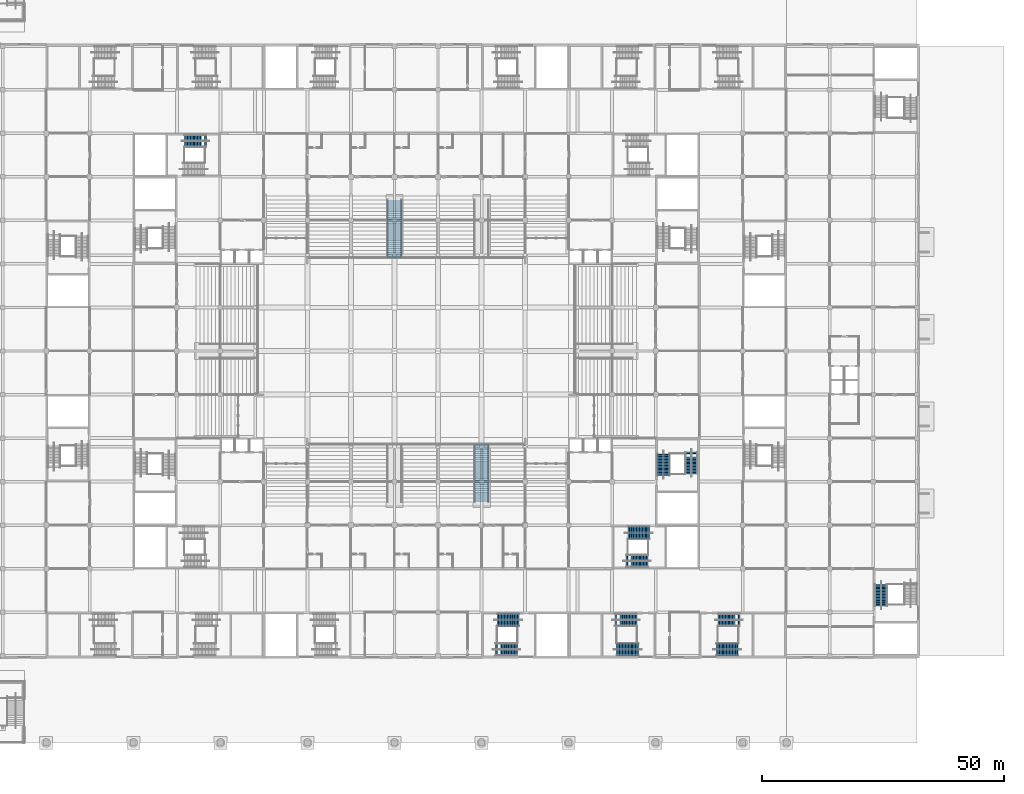
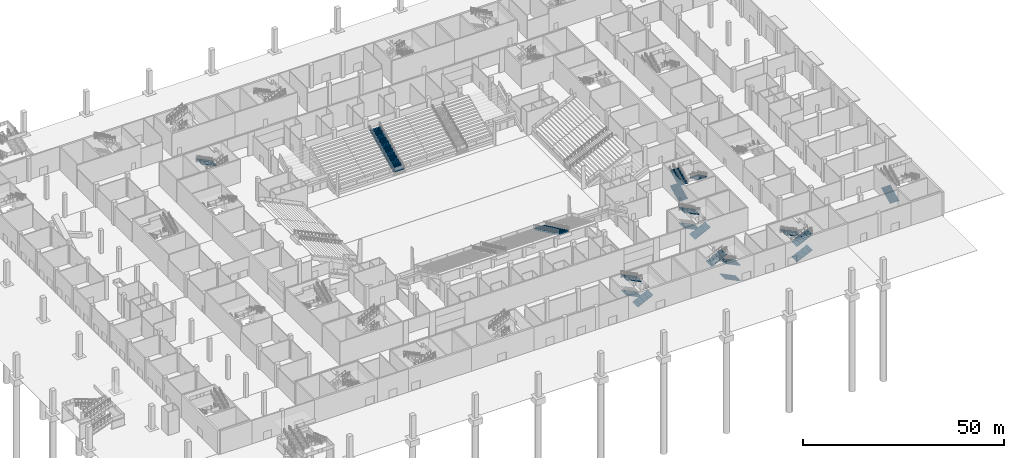
# One storey, part 44 of 92: 19 stair flights, 9 elements without a shape of their own.
"""IFC4 building model written with IfcOpenShell, lengths in metres."""

from ifc_helpers import new_model, si_unit, direction, frame, origin, place, context, subcontext, project, spatial, polyline, outline, extrude, material, type_object, element, aggregate, save


model = new_model("IFC4")

# Units and contexts
model_context = context("Model", 3, precision=1e-05, world=origin(), true_north=direction((0.0, 1.0)))
body_context = subcontext(model_context, "Body", "Model", "MODEL_VIEW")
ifc_project = project(units=[si_unit("LENGTHUNIT", "METRE"), si_unit("AREAUNIT", "SQUARE_METRE"), si_unit("VOLUMEUNIT", "CUBIC_METRE"), si_unit("PLANEANGLEUNIT", "RADIAN"), si_unit("MASSUNIT", "GRAM", prefix="KILO")], contexts=[model_context])

# Site, building, storey
site_placement = place(None, origin())
site = spatial("IfcSite", under=ifc_project, at=site_placement, CompositionType="ELEMENT")
building_placement = place(site_placement, origin())
building = spatial("IfcBuilding", under=site, at=building_placement, Name="Silverbay Arena", CompositionType="ELEMENT")
storey_placement = place(building_placement, origin())
storey = spatial("IfcBuildingStorey", under=building, at=storey_placement, Name="L00", CompositionType="ELEMENT", Elevation=0.0)

# Stair, stair flights
ifc_material_1 = material(Name="Concrete Grade C45", Category="concrete")
stair_type_1 = type_object("IfcStairType", Name="Stair 2600 wide 48 risers 145.8 x 300", PredefinedType="HALF_TURN_STAIR", material=ifc_material_1)
stair_1_placement = place(storey_placement, origin())
stair_1 = element("IfcStair", 1, at=stair_1_placement, inside=storey, type_object=stair_type_1, Name="Stair ST-S3 L00 to L01", PredefinedType="HALF_TURN_STAIR")
ifc_material_2 = material(Name="Concrete Grade C45", Category="concrete")
stair_flight_type_1 = type_object("IfcStairFlightType", Name="Stair flight 2600 wide 16 risers 145.8 x 300", PredefinedType="STRAIGHT", material=ifc_material_2)
stair_flight_1_placement = place(storey_placement, frame((151.7431640625, 25.39990234375, 0.0), z_axis=(0.0, 0.0, 1.0), x_axis=(-1.0, 0.0, 0.0)))
stair_flight_1 = element("IfcStairFlight", 2, at=stair_flight_1_placement, type_object=stair_flight_type_1, Name="Stair ST-S3 L00 to L01 flight 1", NumberOfRisers=16, NumberOfTreads=15, PredefinedType="STRAIGHT", RiserHeight=0.145833333, TreadLength=0.3, context=body_context, shape_type="SweptSolid", body=[
    extrude(outline(polyline([(0.0, 0.0), (0.0, 0.145751953125), (0.300048828125, 0.145751953125), (0.300048828125, 0.291748046875), (0.60009765625, 0.291748046875), (0.60009765625, 0.4375), (0.89990234375, 0.4375), (0.89990234375, 0.583251953125), (1.199951171875, 0.583251953125), (1.199951171875, 0.729248046875), (1.5, 0.729248046875), (1.5, 0.875), (1.800048828125, 0.875), (1.800048828125, 1.020751953125), (2.10009765625, 1.020751953125), (2.10009765625, 1.166748046875), (2.39990234375, 1.166748046875), (2.39990234375, 1.3125), (2.699951171875, 1.3125), (2.699951171875, 1.458251953125), (3.0, 1.458251953125), (3.0, 1.604248046875), (3.300048828125, 1.604248046875), (3.300048828125, 1.75), (3.60009765625, 1.75), (3.60009765625, 1.895751953125), (3.89990234375, 1.895751953125), (3.89990234375, 2.041748046875), (4.199951171875, 2.041748046875), (4.199951171875, 2.1875), (4.5, 2.1875), (4.5, 2.020751953125), (0.3427734375, 0.0), (0.0, 0.0)])), frame((0.0, 1.300048828125, 0.0), z_axis=(0.0, -1.0, 0.0), x_axis=(1.0, 0.0, 0.0)), (0.0, 0.0, 1.0), 2.60009765625),
])
stair_flight_2_placement = place(storey_placement, frame((146.89990234375, 19.300048828125, 2.333251953125), z_axis=(0.0, 0.0, 1.0), x_axis=(1.0, 0.0, 0.0)))
stair_flight_2 = element("IfcStairFlight", 3, at=stair_flight_2_placement, type_object=stair_flight_type_1, Name="Stair ST-S3 L00 to L01 flight 2", NumberOfRisers=16, NumberOfTreads=15, PredefinedType="STRAIGHT", RiserHeight=0.145833333, TreadLength=0.3, context=body_context, shape_type="SweptSolid", body=[
    extrude(outline(polyline([(0.0, 0.0), (0.0, 0.145751953125), (0.300048828125, 0.145751953125), (0.300048828125, 0.291748046875), (0.60009765625, 0.291748046875), (0.60009765625, 0.4375), (0.89990234375, 0.4375), (0.89990234375, 0.583251953125), (1.199951171875, 0.583251953125), (1.199951171875, 0.729248046875), (1.5, 0.729248046875), (1.5, 0.875), (1.800048828125, 0.875), (1.800048828125, 1.020751953125), (2.10009765625, 1.020751953125), (2.10009765625, 1.166748046875), (2.39990234375, 1.166748046875), (2.39990234375, 1.3125), (2.699951171875, 1.3125), (2.699951171875, 1.458251953125), (3.0, 1.458251953125), (3.0, 1.604248046875), (3.300048828125, 1.604248046875), (3.300048828125, 1.75), (3.60009765625, 1.75), (3.60009765625, 1.895751953125), (3.89990234375, 1.895751953125), (3.89990234375, 2.041748046875), (4.199951171875, 2.041748046875), (4.199951171875, 2.1875), (4.5, 2.1875), (4.5, 2.020751953125), (0.3427734375, 0.0), (0.0, 0.0)])), frame((0.0, 1.300048828125, 0.0), z_axis=(0.0, -1.0, 0.0), x_axis=(1.0, 0.0, 0.0)), (0.0, 0.0, 1.0), 2.60009765625),
])
stair_flight_3_placement = place(storey_placement, frame((151.7431640625, 25.39990234375, 4.666748046875), z_axis=(0.0, 0.0, 1.0), x_axis=(-1.0, 0.0, 0.0)))
stair_flight_3 = element("IfcStairFlight", 4, at=stair_flight_3_placement, type_object=stair_flight_type_1, Name="Stair ST-S3 L00 to L01 flight 3", NumberOfRisers=16, NumberOfTreads=15, PredefinedType="STRAIGHT", RiserHeight=0.145833333, TreadLength=0.3, context=body_context, shape_type="SweptSolid", body=[
    extrude(outline(polyline([(0.0, 0.0), (0.0, 0.145751953125), (0.300048828125, 0.145751953125), (0.300048828125, 0.291748046875), (0.60009765625, 0.291748046875), (0.60009765625, 0.4375), (0.89990234375, 0.4375), (0.89990234375, 0.583251953125), (1.199951171875, 0.583251953125), (1.199951171875, 0.729248046875), (1.5, 0.729248046875), (1.5, 0.875), (1.800048828125, 0.875), (1.800048828125, 1.020751953125), (2.10009765625, 1.020751953125), (2.10009765625, 1.166748046875), (2.39990234375, 1.166748046875), (2.39990234375, 1.3125), (2.699951171875, 1.3125), (2.699951171875, 1.458251953125), (3.0, 1.458251953125), (3.0, 1.604248046875), (3.300048828125, 1.604248046875), (3.300048828125, 1.75), (3.60009765625, 1.75), (3.60009765625, 1.895751953125), (3.89990234375, 1.895751953125), (3.89990234375, 2.041748046875), (4.199951171875, 2.041748046875), (4.199951171875, 2.1875), (4.5, 2.1875), (4.5, 2.020751953125), (0.3427734375, 0.0), (0.0, 0.0)])), frame((0.0, 1.300048828125, 0.0), z_axis=(0.0, -1.0, 0.0), x_axis=(1.0, 0.0, 0.0)), (0.0, 0.0, 1.0), 2.60009765625),
])
aggregate(stair_1, [stair_flight_1, stair_flight_2, stair_flight_3])

stair_2_placement = place(storey_placement, origin())
stair_2 = element("IfcStair", 5, at=stair_2_placement, inside=storey, type_object=stair_type_1, Name="Stair ST-S4 L00 to L01", PredefinedType="HALF_TURN_STAIR")
stair_flight_4_placement = place(storey_placement, frame((176.443115234375, 19.300048828125, 0.0), z_axis=(0.0, 0.0, 1.0), x_axis=(-1.0, 0.0, 0.0)))
stair_flight_4 = element("IfcStairFlight", 6, at=stair_flight_4_placement, type_object=stair_flight_type_1, Name="Stair ST-S4 L00 to L01 flight 1", NumberOfRisers=16, NumberOfTreads=15, PredefinedType="STRAIGHT", RiserHeight=0.145833333, TreadLength=0.3, context=body_context, shape_type="SweptSolid", body=[
    extrude(outline(polyline([(0.0, 0.0), (0.0, 0.145751953125), (0.300048828125, 0.145751953125), (0.300048828125, 0.291748046875), (0.60009765625, 0.291748046875), (0.60009765625, 0.4375), (0.89990234375, 0.4375), (0.89990234375, 0.583251953125), (1.199951171875, 0.583251953125), (1.199951171875, 0.729248046875), (1.5, 0.729248046875), (1.5, 0.875), (1.800048828125, 0.875), (1.800048828125, 1.020751953125), (2.10009765625, 1.020751953125), (2.10009765625, 1.166748046875), (2.39990234375, 1.166748046875), (2.39990234375, 1.3125), (2.699951171875, 1.3125), (2.699951171875, 1.458251953125), (3.0, 1.458251953125), (3.0, 1.604248046875), (3.300048828125, 1.604248046875), (3.300048828125, 1.75), (3.60009765625, 1.75), (3.60009765625, 1.895751953125), (3.89990234375, 1.895751953125), (3.89990234375, 2.041748046875), (4.199951171875, 2.041748046875), (4.199951171875, 2.1875), (4.5, 2.1875), (4.5, 2.020751953125), (0.3427734375, 0.0), (0.0, 0.0)])), frame((0.0, 1.300048828125, 0.0), z_axis=(0.0, -1.0, 0.0), x_axis=(1.0, 0.0, 0.0)), (0.0, 0.0, 1.0), 2.60009765625),
])
stair_flight_5_placement = place(storey_placement, frame((171.60009765625, 25.39990234375, 2.333251953125), z_axis=(0.0, 0.0, 1.0), x_axis=(1.0, 0.0, 0.0)))
stair_flight_5 = element("IfcStairFlight", 7, at=stair_flight_5_placement, type_object=stair_flight_type_1, Name="Stair ST-S4 L00 to L01 flight 2", NumberOfRisers=16, NumberOfTreads=15, PredefinedType="STRAIGHT", RiserHeight=0.145833333, TreadLength=0.3, context=body_context, shape_type="SweptSolid", body=[
    extrude(outline(polyline([(0.0, 0.0), (0.0, 0.145751953125), (0.300048828125, 0.145751953125), (0.300048828125, 0.291748046875), (0.60009765625, 0.291748046875), (0.60009765625, 0.4375), (0.89990234375, 0.4375), (0.89990234375, 0.583251953125), (1.199951171875, 0.583251953125), (1.199951171875, 0.729248046875), (1.5, 0.729248046875), (1.5, 0.875), (1.800048828125, 0.875), (1.800048828125, 1.020751953125), (2.10009765625, 1.020751953125), (2.10009765625, 1.166748046875), (2.39990234375, 1.166748046875), (2.39990234375, 1.3125), (2.699951171875, 1.3125), (2.699951171875, 1.458251953125), (3.0, 1.458251953125), (3.0, 1.604248046875), (3.300048828125, 1.604248046875), (3.300048828125, 1.75), (3.60009765625, 1.75), (3.60009765625, 1.895751953125), (3.89990234375, 1.895751953125), (3.89990234375, 2.041748046875), (4.199951171875, 2.041748046875), (4.199951171875, 2.1875), (4.5, 2.1875), (4.5, 2.020751953125), (0.3427734375, 0.0), (0.0, 0.0)])), frame((0.0, 1.300048828125, 0.0), z_axis=(0.0, -1.0, 0.0), x_axis=(1.0, 0.0, 0.0)), (0.0, 0.0, 1.0), 2.60009765625),
])
stair_flight_6_placement = place(storey_placement, frame((176.443115234375, 19.300048828125, 4.666748046875), z_axis=(0.0, 0.0, 1.0), x_axis=(-1.0, 0.0, 0.0)))
stair_flight_6 = element("IfcStairFlight", 8, at=stair_flight_6_placement, type_object=stair_flight_type_1, Name="Stair ST-S4 L00 to L01 flight 3", NumberOfRisers=16, NumberOfTreads=15, PredefinedType="STRAIGHT", RiserHeight=0.145833333, TreadLength=0.3, context=body_context, shape_type="SweptSolid", body=[
    extrude(outline(polyline([(0.0, 0.0), (0.0, 0.145751953125), (0.300048828125, 0.145751953125), (0.300048828125, 0.291748046875), (0.60009765625, 0.291748046875), (0.60009765625, 0.4375), (0.89990234375, 0.4375), (0.89990234375, 0.583251953125), (1.199951171875, 0.583251953125), (1.199951171875, 0.729248046875), (1.5, 0.729248046875), (1.5, 0.875), (1.800048828125, 0.875), (1.800048828125, 1.020751953125), (2.10009765625, 1.020751953125), (2.10009765625, 1.166748046875), (2.39990234375, 1.166748046875), (2.39990234375, 1.3125), (2.699951171875, 1.3125), (2.699951171875, 1.458251953125), (3.0, 1.458251953125), (3.0, 1.604248046875), (3.300048828125, 1.604248046875), (3.300048828125, 1.75), (3.60009765625, 1.75), (3.60009765625, 1.895751953125), (3.89990234375, 1.895751953125), (3.89990234375, 2.041748046875), (4.199951171875, 2.041748046875), (4.199951171875, 2.1875), (4.5, 2.1875), (4.5, 2.020751953125), (0.3427734375, 0.0), (0.0, 0.0)])), frame((0.0, 1.300048828125, 0.0), z_axis=(0.0, -1.0, 0.0), x_axis=(1.0, 0.0, 0.0)), (0.0, 0.0, 1.0), 2.60009765625),
])
aggregate(stair_2, [stair_flight_4, stair_flight_5, stair_flight_6])

stair_3_placement = place(storey_placement, origin())
stair_3 = element("IfcStair", 9, at=stair_3_placement, inside=storey, type_object=stair_type_1, Name="Stair ST-S6 L00 to L01", PredefinedType="HALF_TURN_STAIR")
stair_flight_7_placement = place(storey_placement, frame((192.556884765625, 19.300048828125, 0.0), z_axis=(0.0, 0.0, 1.0), x_axis=(1.0, 0.0, 0.0)))
stair_flight_7 = element("IfcStairFlight", 10, at=stair_flight_7_placement, type_object=stair_flight_type_1, Name="Stair ST-S6 L00 to L01 flight 1", NumberOfRisers=16, NumberOfTreads=15, PredefinedType="STRAIGHT", RiserHeight=0.145833333, TreadLength=0.3, context=body_context, shape_type="SweptSolid", body=[
    extrude(outline(polyline([(0.0, 0.0), (0.0, 0.145751953125), (0.300048828125, 0.145751953125), (0.300048828125, 0.291748046875), (0.60009765625, 0.291748046875), (0.60009765625, 0.4375), (0.89990234375, 0.4375), (0.89990234375, 0.583251953125), (1.199951171875, 0.583251953125), (1.199951171875, 0.729248046875), (1.5, 0.729248046875), (1.5, 0.875), (1.800048828125, 0.875), (1.800048828125, 1.020751953125), (2.10009765625, 1.020751953125), (2.10009765625, 1.166748046875), (2.39990234375, 1.166748046875), (2.39990234375, 1.3125), (2.699951171875, 1.3125), (2.699951171875, 1.458251953125), (3.0, 1.458251953125), (3.0, 1.604248046875), (3.300048828125, 1.604248046875), (3.300048828125, 1.75), (3.60009765625, 1.75), (3.60009765625, 1.895751953125), (3.89990234375, 1.895751953125), (3.89990234375, 2.041748046875), (4.199951171875, 2.041748046875), (4.199951171875, 2.1875), (4.5, 2.1875), (4.5, 2.020751953125), (0.3427734375, 0.0), (0.0, 0.0)])), frame((0.0, 1.300048828125, 0.0), z_axis=(0.0, -1.0, 0.0), x_axis=(1.0, 0.0, 0.0)), (0.0, 0.0, 1.0), 2.60009765625),
])
stair_flight_8_placement = place(storey_placement, frame((197.39990234375, 25.39990234375, 2.333251953125), z_axis=(0.0, 0.0, 1.0), x_axis=(-1.0, 0.0, 0.0)))
stair_flight_8 = element("IfcStairFlight", 11, at=stair_flight_8_placement, type_object=stair_flight_type_1, Name="Stair ST-S6 L00 to L01 flight 2", NumberOfRisers=16, NumberOfTreads=15, PredefinedType="STRAIGHT", RiserHeight=0.145833333, TreadLength=0.3, context=body_context, shape_type="SweptSolid", body=[
    extrude(outline(polyline([(0.0, 0.0), (0.0, 0.145751953125), (0.300048828125, 0.145751953125), (0.300048828125, 0.291748046875), (0.60009765625, 0.291748046875), (0.60009765625, 0.4375), (0.89990234375, 0.4375), (0.89990234375, 0.583251953125), (1.199951171875, 0.583251953125), (1.199951171875, 0.729248046875), (1.5, 0.729248046875), (1.5, 0.875), (1.800048828125, 0.875), (1.800048828125, 1.020751953125), (2.10009765625, 1.020751953125), (2.10009765625, 1.166748046875), (2.39990234375, 1.166748046875), (2.39990234375, 1.3125), (2.699951171875, 1.3125), (2.699951171875, 1.458251953125), (3.0, 1.458251953125), (3.0, 1.604248046875), (3.300048828125, 1.604248046875), (3.300048828125, 1.75), (3.60009765625, 1.75), (3.60009765625, 1.895751953125), (3.89990234375, 1.895751953125), (3.89990234375, 2.041748046875), (4.199951171875, 2.041748046875), (4.199951171875, 2.1875), (4.5, 2.1875), (4.5, 2.020751953125), (0.3427734375, 0.0), (0.0, 0.0)])), frame((0.0, 1.300048828125, 0.0), z_axis=(0.0, -1.0, 0.0), x_axis=(1.0, 0.0, 0.0)), (0.0, 0.0, 1.0), 2.60009765625),
])
stair_flight_9_placement = place(storey_placement, frame((192.556884765625, 19.300048828125, 4.666748046875), z_axis=(0.0, 0.0, 1.0), x_axis=(1.0, 0.0, 0.0)))
stair_flight_9 = element("IfcStairFlight", 12, at=stair_flight_9_placement, type_object=stair_flight_type_1, Name="Stair ST-S6 L00 to L01 flight 3", NumberOfRisers=16, NumberOfTreads=15, PredefinedType="STRAIGHT", RiserHeight=0.145833333, TreadLength=0.3, context=body_context, shape_type="SweptSolid", body=[
    extrude(outline(polyline([(0.0, 0.0), (0.0, 0.145751953125), (0.300048828125, 0.145751953125), (0.300048828125, 0.291748046875), (0.60009765625, 0.291748046875), (0.60009765625, 0.4375), (0.89990234375, 0.4375), (0.89990234375, 0.583251953125), (1.199951171875, 0.583251953125), (1.199951171875, 0.729248046875), (1.5, 0.729248046875), (1.5, 0.875), (1.800048828125, 0.875), (1.800048828125, 1.020751953125), (2.10009765625, 1.020751953125), (2.10009765625, 1.166748046875), (2.39990234375, 1.166748046875), (2.39990234375, 1.3125), (2.699951171875, 1.3125), (2.699951171875, 1.458251953125), (3.0, 1.458251953125), (3.0, 1.604248046875), (3.300048828125, 1.604248046875), (3.300048828125, 1.75), (3.60009765625, 1.75), (3.60009765625, 1.895751953125), (3.89990234375, 1.895751953125), (3.89990234375, 2.041748046875), (4.199951171875, 2.041748046875), (4.199951171875, 2.1875), (4.5, 2.1875), (4.5, 2.020751953125), (0.3427734375, 0.0), (0.0, 0.0)])), frame((0.0, 1.300048828125, 0.0), z_axis=(0.0, -1.0, 0.0), x_axis=(1.0, 0.0, 0.0)), (0.0, 0.0, 1.0), 2.60009765625),
])
aggregate(stair_3, [stair_flight_7, stair_flight_8, stair_flight_9])

stair_4_placement = place(storey_placement, origin())
stair_4 = element("IfcStair", 13, at=stair_4_placement, inside=storey, type_object=stair_type_1, Name="Stair ST-SE1 L00 to L01", PredefinedType="HALF_TURN_STAIR")
stair_flight_10_placement = place(storey_placement, frame((178.7431640625, 43.39990234375, 0.0), z_axis=(0.0, 0.0, 1.0), x_axis=(-1.0, 0.0, 0.0)))
stair_flight_10 = element("IfcStairFlight", 14, at=stair_flight_10_placement, type_object=stair_flight_type_1, Name="Stair ST-SE1 L00 to L01 flight 1", NumberOfRisers=16, NumberOfTreads=15, PredefinedType="STRAIGHT", RiserHeight=0.145833333, TreadLength=0.3, context=body_context, shape_type="SweptSolid", body=[
    extrude(outline(polyline([(0.0, 0.0), (0.0, 0.145751953125), (0.300048828125, 0.145751953125), (0.300048828125, 0.291748046875), (0.60009765625, 0.291748046875), (0.60009765625, 0.4375), (0.89990234375, 0.4375), (0.89990234375, 0.583251953125), (1.199951171875, 0.583251953125), (1.199951171875, 0.729248046875), (1.5, 0.729248046875), (1.5, 0.875), (1.800048828125, 0.875), (1.800048828125, 1.020751953125), (2.10009765625, 1.020751953125), (2.10009765625, 1.166748046875), (2.39990234375, 1.166748046875), (2.39990234375, 1.3125), (2.699951171875, 1.3125), (2.699951171875, 1.458251953125), (3.0, 1.458251953125), (3.0, 1.604248046875), (3.300048828125, 1.604248046875), (3.300048828125, 1.75), (3.60009765625, 1.75), (3.60009765625, 1.895751953125), (3.89990234375, 1.895751953125), (3.89990234375, 2.041748046875), (4.199951171875, 2.041748046875), (4.199951171875, 2.1875), (4.5, 2.1875), (4.5, 2.020751953125), (0.3427734375, 0.0), (0.0, 0.0)])), frame((0.0, 1.300048828125, 0.0), z_axis=(0.0, -1.0, 0.0), x_axis=(1.0, 0.0, 0.0)), (0.0, 0.0, 1.0), 2.60009765625),
])
stair_flight_11_placement = place(storey_placement, frame((173.89990234375, 37.60009765625, 2.333251953125), z_axis=(0.0, 0.0, 1.0), x_axis=(1.0, 0.0, 0.0)))
stair_flight_11 = element("IfcStairFlight", 15, at=stair_flight_11_placement, type_object=stair_flight_type_1, Name="Stair ST-SE1 L00 to L01 flight 2", NumberOfRisers=16, NumberOfTreads=15, PredefinedType="STRAIGHT", RiserHeight=0.145833333, TreadLength=0.3, context=body_context, shape_type="SweptSolid", body=[
    extrude(outline(polyline([(0.0, 0.0), (0.0, 0.145751953125), (0.300048828125, 0.145751953125), (0.300048828125, 0.291748046875), (0.60009765625, 0.291748046875), (0.60009765625, 0.4375), (0.89990234375, 0.4375), (0.89990234375, 0.583251953125), (1.199951171875, 0.583251953125), (1.199951171875, 0.729248046875), (1.5, 0.729248046875), (1.5, 0.875), (1.800048828125, 0.875), (1.800048828125, 1.020751953125), (2.10009765625, 1.020751953125), (2.10009765625, 1.166748046875), (2.39990234375, 1.166748046875), (2.39990234375, 1.3125), (2.699951171875, 1.3125), (2.699951171875, 1.458251953125), (3.0, 1.458251953125), (3.0, 1.604248046875), (3.300048828125, 1.604248046875), (3.300048828125, 1.75), (3.60009765625, 1.75), (3.60009765625, 1.895751953125), (3.89990234375, 1.895751953125), (3.89990234375, 2.041748046875), (4.199951171875, 2.041748046875), (4.199951171875, 2.1875), (4.5, 2.1875), (4.5, 2.020751953125), (0.3427734375, 0.0), (0.0, 0.0)])), frame((0.0, 1.300048828125, 0.0), z_axis=(0.0, -1.0, 0.0), x_axis=(1.0, 0.0, 0.0)), (0.0, 0.0, 1.0), 2.60009765625),
])
stair_flight_12_placement = place(storey_placement, frame((178.7431640625, 43.39990234375, 4.666748046875), z_axis=(0.0, 0.0, 1.0), x_axis=(-1.0, 0.0, 0.0)))
stair_flight_12 = element("IfcStairFlight", 16, at=stair_flight_12_placement, type_object=stair_flight_type_1, Name="Stair ST-SE1 L00 to L01 flight 3", NumberOfRisers=16, NumberOfTreads=15, PredefinedType="STRAIGHT", RiserHeight=0.145833333, TreadLength=0.3, context=body_context, shape_type="SweptSolid", body=[
    extrude(outline(polyline([(0.0, 0.0), (0.0, 0.145751953125), (0.300048828125, 0.145751953125), (0.300048828125, 0.291748046875), (0.60009765625, 0.291748046875), (0.60009765625, 0.4375), (0.89990234375, 0.4375), (0.89990234375, 0.583251953125), (1.199951171875, 0.583251953125), (1.199951171875, 0.729248046875), (1.5, 0.729248046875), (1.5, 0.875), (1.800048828125, 0.875), (1.800048828125, 1.020751953125), (2.10009765625, 1.020751953125), (2.10009765625, 1.166748046875), (2.39990234375, 1.166748046875), (2.39990234375, 1.3125), (2.699951171875, 1.3125), (2.699951171875, 1.458251953125), (3.0, 1.458251953125), (3.0, 1.604248046875), (3.300048828125, 1.604248046875), (3.300048828125, 1.75), (3.60009765625, 1.75), (3.60009765625, 1.895751953125), (3.89990234375, 1.895751953125), (3.89990234375, 2.041748046875), (4.199951171875, 2.041748046875), (4.199951171875, 2.1875), (4.5, 2.1875), (4.5, 2.020751953125), (0.3427734375, 0.0), (0.0, 0.0)])), frame((0.0, 1.300048828125, 0.0), z_axis=(0.0, -1.0, 0.0), x_axis=(1.0, 0.0, 0.0)), (0.0, 0.0, 1.0), 2.60009765625),
])
aggregate(stair_4, [stair_flight_10, stair_flight_11, stair_flight_12])

stair_5_placement = place(storey_placement, origin())
stair_5 = element("IfcStair", 17, at=stair_5_placement, inside=storey, type_object=stair_type_1, Name="Stair ST-SE2 L00 to L01", PredefinedType="HALF_TURN_STAIR")
stair_flight_13_placement = place(storey_placement, frame((181.60009765625, 55.2568359375, 0.0), z_axis=(0.0, 0.0, 1.0), x_axis=(0.0, 1.0, 0.0)))
stair_flight_13 = element("IfcStairFlight", 18, at=stair_flight_13_placement, type_object=stair_flight_type_1, Name="Stair ST-SE2 L00 to L01 flight 1", NumberOfRisers=16, NumberOfTreads=15, PredefinedType="STRAIGHT", RiserHeight=0.145833333, TreadLength=0.3, context=body_context, shape_type="SweptSolid", body=[
    extrude(outline(polyline([(0.0, 0.0), (0.0, 0.145751953125), (0.300048828125, 0.145751953125), (0.300048828125, 0.291748046875), (0.60009765625, 0.291748046875), (0.60009765625, 0.4375), (0.89990234375, 0.4375), (0.89990234375, 0.583251953125), (1.199951171875, 0.583251953125), (1.199951171875, 0.729248046875), (1.5, 0.729248046875), (1.5, 0.875), (1.800048828125, 0.875), (1.800048828125, 1.020751953125), (2.10009765625, 1.020751953125), (2.10009765625, 1.166748046875), (2.39990234375, 1.166748046875), (2.39990234375, 1.3125), (2.699951171875, 1.3125), (2.699951171875, 1.458251953125), (3.0, 1.458251953125), (3.0, 1.604248046875), (3.300048828125, 1.604248046875), (3.300048828125, 1.75), (3.60009765625, 1.75), (3.60009765625, 1.895751953125), (3.89990234375, 1.895751953125), (3.89990234375, 2.041748046875), (4.199951171875, 2.041748046875), (4.199951171875, 2.1875), (4.5, 2.1875), (4.5, 2.020751953125), (0.3427734375, 0.0), (0.0, 0.0)])), frame((0.0, 1.300048828125, 0.0), z_axis=(0.0, -1.0, 0.0), x_axis=(1.0, 0.0, 0.0)), (0.0, 0.0, 1.0), 2.60009765625),
])
stair_flight_14_placement = place(storey_placement, frame((187.39990234375, 60.10009765625, 2.333251953125), z_axis=(0.0, 0.0, 1.0), x_axis=(0.0, -1.0, 0.0)))
stair_flight_14 = element("IfcStairFlight", 19, at=stair_flight_14_placement, type_object=stair_flight_type_1, Name="Stair ST-SE2 L00 to L01 flight 2", NumberOfRisers=16, NumberOfTreads=15, PredefinedType="STRAIGHT", RiserHeight=0.145833333, TreadLength=0.3, context=body_context, shape_type="SweptSolid", body=[
    extrude(outline(polyline([(0.0, 0.0), (0.0, 0.145751953125), (0.300048828125, 0.145751953125), (0.300048828125, 0.291748046875), (0.60009765625, 0.291748046875), (0.60009765625, 0.4375), (0.89990234375, 0.4375), (0.89990234375, 0.583251953125), (1.199951171875, 0.583251953125), (1.199951171875, 0.729248046875), (1.5, 0.729248046875), (1.5, 0.875), (1.800048828125, 0.875), (1.800048828125, 1.020751953125), (2.10009765625, 1.020751953125), (2.10009765625, 1.166748046875), (2.39990234375, 1.166748046875), (2.39990234375, 1.3125), (2.699951171875, 1.3125), (2.699951171875, 1.458251953125), (3.0, 1.458251953125), (3.0, 1.604248046875), (3.300048828125, 1.604248046875), (3.300048828125, 1.75), (3.60009765625, 1.75), (3.60009765625, 1.895751953125), (3.89990234375, 1.895751953125), (3.89990234375, 2.041748046875), (4.199951171875, 2.041748046875), (4.199951171875, 2.1875), (4.5, 2.1875), (4.5, 2.020751953125), (0.3427734375, 0.0), (0.0, 0.0)])), frame((0.0, 1.300048828125, 0.0), z_axis=(0.0, -1.0, 0.0), x_axis=(1.0, 0.0, 0.0)), (0.0, 0.0, 1.0), 2.60009765625),
])
stair_flight_15_placement = place(storey_placement, frame((181.60009765625, 55.2568359375, 4.666748046875), z_axis=(0.0, 0.0, 1.0), x_axis=(0.0, 1.0, 0.0)))
stair_flight_15 = element("IfcStairFlight", 20, at=stair_flight_15_placement, type_object=stair_flight_type_1, Name="Stair ST-SE2 L00 to L01 flight 3", NumberOfRisers=16, NumberOfTreads=15, PredefinedType="STRAIGHT", RiserHeight=0.145833333, TreadLength=0.3, context=body_context, shape_type="SweptSolid", body=[
    extrude(outline(polyline([(0.0, 0.0), (0.0, 0.145751953125), (0.300048828125, 0.145751953125), (0.300048828125, 0.291748046875), (0.60009765625, 0.291748046875), (0.60009765625, 0.4375), (0.89990234375, 0.4375), (0.89990234375, 0.583251953125), (1.199951171875, 0.583251953125), (1.199951171875, 0.729248046875), (1.5, 0.729248046875), (1.5, 0.875), (1.800048828125, 0.875), (1.800048828125, 1.020751953125), (2.10009765625, 1.020751953125), (2.10009765625, 1.166748046875), (2.39990234375, 1.166748046875), (2.39990234375, 1.3125), (2.699951171875, 1.3125), (2.699951171875, 1.458251953125), (3.0, 1.458251953125), (3.0, 1.604248046875), (3.300048828125, 1.604248046875), (3.300048828125, 1.75), (3.60009765625, 1.75), (3.60009765625, 1.895751953125), (3.89990234375, 1.895751953125), (3.89990234375, 2.041748046875), (4.199951171875, 2.041748046875), (4.199951171875, 2.1875), (4.5, 2.1875), (4.5, 2.020751953125), (0.3427734375, 0.0), (0.0, 0.0)])), frame((0.0, 1.300048828125, 0.0), z_axis=(0.0, -1.0, 0.0), x_axis=(1.0, 0.0, 0.0)), (0.0, 0.0, 1.0), 2.60009765625),
])
aggregate(stair_5, [stair_flight_13, stair_flight_14, stair_flight_15])

# Stair, stair flight
stair_6_placement = place(storey_placement, origin())
stair_6 = element("IfcStair", 21, at=stair_6_placement, inside=storey, type_object=stair_type_1, Name="Stair ST-NW1 L00 to L01", PredefinedType="HALF_TURN_STAIR")
stair_flight_16_placement = place(storey_placement, frame((87.10009765625, 124.39990234375, 2.333251953125), z_axis=(0.0, 0.0, 1.0), x_axis=(-1.0, 0.0, 0.0)))
stair_flight_16 = element("IfcStairFlight", 22, at=stair_flight_16_placement, type_object=stair_flight_type_1, Name="Stair ST-NW1 L00 to L01 flight 2", NumberOfRisers=16, NumberOfTreads=15, PredefinedType="STRAIGHT", RiserHeight=0.145833333, TreadLength=0.3, context=body_context, shape_type="SweptSolid", body=[
    extrude(outline(polyline([(0.0, 0.0), (0.0, 0.145751953125), (0.300048828125, 0.145751953125), (0.300048828125, 0.291748046875), (0.60009765625, 0.291748046875), (0.60009765625, 0.4375), (0.89990234375, 0.4375), (0.89990234375, 0.583251953125), (1.199951171875, 0.583251953125), (1.199951171875, 0.729248046875), (1.5, 0.729248046875), (1.5, 0.875), (1.800048828125, 0.875), (1.800048828125, 1.020751953125), (2.10009765625, 1.020751953125), (2.10009765625, 1.166748046875), (2.39990234375, 1.166748046875), (2.39990234375, 1.3125), (2.699951171875, 1.3125), (2.699951171875, 1.458251953125), (3.0, 1.458251953125), (3.0, 1.604248046875), (3.300048828125, 1.604248046875), (3.300048828125, 1.75), (3.60009765625, 1.75), (3.60009765625, 1.895751953125), (3.89990234375, 1.895751953125), (3.89990234375, 2.041748046875), (4.199951171875, 2.041748046875), (4.199951171875, 2.1875), (4.5, 2.1875), (4.5, 2.020751953125), (0.3427734375, 0.0), (0.0, 0.0)])), frame((0.0, 1.300048828125, 0.0), z_axis=(0.0, -1.0, 0.0), x_axis=(1.0, 0.0, 0.0)), (0.0, 0.0, 1.0), 2.60009765625),
])
aggregate(stair_6, [stair_flight_16])

stair_7_placement = place(storey_placement, origin())
stair_7 = element("IfcStair", 23, at=stair_7_placement, inside=storey, type_object=stair_type_1, Name="Stair ST-EG1 L00 to L01", PredefinedType="HALF_TURN_STAIR")
stair_flight_17_placement = place(storey_placement, frame((226.60009765625, 28.2568359375, 0.0), z_axis=(0.0, 0.0, 1.0), x_axis=(0.0, 1.0, 0.0)))
stair_flight_17 = element("IfcStairFlight", 24, at=stair_flight_17_placement, type_object=stair_flight_type_1, Name="Stair ST-EG1 L00 to L01 flight 1", NumberOfRisers=16, NumberOfTreads=15, PredefinedType="STRAIGHT", RiserHeight=0.145833333, TreadLength=0.3, context=body_context, shape_type="SweptSolid", body=[
    extrude(outline(polyline([(0.0, 0.0), (0.0, 0.145751953125), (0.300048828125, 0.145751953125), (0.300048828125, 0.291748046875), (0.60009765625, 0.291748046875), (0.60009765625, 0.4375), (0.89990234375, 0.4375), (0.89990234375, 0.583251953125), (1.199951171875, 0.583251953125), (1.199951171875, 0.729248046875), (1.5, 0.729248046875), (1.5, 0.875), (1.800048828125, 0.875), (1.800048828125, 1.020751953125), (2.10009765625, 1.020751953125), (2.10009765625, 1.166748046875), (2.39990234375, 1.166748046875), (2.39990234375, 1.3125), (2.699951171875, 1.3125), (2.699951171875, 1.458251953125), (3.0, 1.458251953125), (3.0, 1.604248046875), (3.300048828125, 1.604248046875), (3.300048828125, 1.75), (3.60009765625, 1.75), (3.60009765625, 1.895751953125), (3.89990234375, 1.895751953125), (3.89990234375, 2.041748046875), (4.199951171875, 2.041748046875), (4.199951171875, 2.1875), (4.5, 2.1875), (4.5, 2.020751953125), (0.3427734375, 0.0), (0.0, 0.0)])), frame((0.0, 1.300048828125, 0.0), z_axis=(0.0, -1.0, 0.0), x_axis=(1.0, 0.0, 0.0)), (0.0, 0.0, 1.0), 2.60009765625),
])
aggregate(stair_7, [stair_flight_17])

ifc_material_3 = material(Name="Concrete Grade C45", Category="concrete")
stair_type_2 = type_object("IfcStairType", Name="Vomitory stair 3000 wide 31 risers 190 x 400", PredefinedType="STRAIGHT_RUN_STAIR", material=ifc_material_3)
stair_8_placement = place(storey_placement, origin())
stair_8 = element("IfcStair", 25, at=stair_8_placement, inside=storey, type_object=stair_type_2, Name="Vomitory stair V02", PredefinedType="STRAIGHT_RUN_STAIR")
ifc_material_4 = material(Name="Concrete Grade C45", Category="concrete")
stair_flight_type_2 = type_object("IfcStairFlightType", Name="Vomitory stair flight 3000 wide 31 risers 190 x 400", PredefinedType="STRAIGHT", material=ifc_material_4)
stair_flight_18_placement = place(storey_placement, frame((144.0, 61.800048828125, 1.110107421875), z_axis=(0.0, 0.0, 1.0), x_axis=(0.0, -1.0, 0.0)))
stair_flight_18 = element("IfcStairFlight", 26, at=stair_flight_18_placement, type_object=stair_flight_type_2, Name="Vomitory stair V02 flight", NumberOfRisers=31, NumberOfTreads=30, PredefinedType="STRAIGHT", RiserHeight=0.19, TreadLength=0.4, context=body_context, shape_type="SweptSolid", body=[
    extrude(outline(polyline([(0.0, 0.0), (0.0, 0.18994140625), (0.39990234375, 0.18994140625), (0.39990234375, 0.3798828125), (0.800048828125, 0.3798828125), (0.800048828125, 0.570068359375), (1.199951171875, 0.570068359375), (1.199951171875, 0.760009765625), (1.60009765625, 0.760009765625), (1.60009765625, 0.949951171875), (2.0, 0.949951171875), (2.0, 1.139892578125), (2.39990234375, 1.139892578125), (2.39990234375, 1.330078125), (2.800048828125, 1.330078125), (2.800048828125, 1.52001953125), (3.199951171875, 1.52001953125), (3.199951171875, 1.7099609375), (3.60009765625, 1.7099609375), (3.60009765625, 1.89990234375), (4.0, 1.89990234375), (4.0, 2.090087890625), (4.39990234375, 2.090087890625), (4.39990234375, 2.280029296875), (4.800048828125, 2.280029296875), (4.800048828125, 2.469970703125), (5.199951171875, 2.469970703125), (5.199951171875, 2.659912109375), (5.60009765625, 2.659912109375), (5.60009765625, 2.85009765625), (6.0, 2.85009765625), (6.0, 3.0400390625), (6.39990234375, 3.0400390625), (6.39990234375, 3.22998046875), (6.800048828125, 3.22998046875), (6.800048828125, 3.419921875), (7.199951171875, 3.419921875), (7.199951171875, 3.610107421875), (7.60009765625, 3.610107421875), (7.60009765625, 3.800048828125), (8.0, 3.800048828125), (8.0, 3.989990234375), (8.39990234375, 3.989990234375), (8.39990234375, 4.179931640625), (8.800048828125, 4.179931640625), (8.800048828125, 4.3701171875), (9.199951171875, 4.3701171875), (9.199951171875, 4.56005859375), (9.60009765625, 4.56005859375), (9.60009765625, 4.75), (10.0, 4.75), (10.0, 4.93994140625), (10.39990234375, 4.93994140625), (10.39990234375, 5.1298828125), (10.800048828125, 5.1298828125), (10.800048828125, 5.320068359375), (11.199951171875, 5.320068359375), (11.199951171875, 5.510009765625), (11.60009765625, 5.510009765625), (11.60009765625, 5.699951171875), (12.0, 5.699951171875), (12.0, 5.330078125), (0.779052734375, 0.0), (0.0, 0.0)])), frame((0.0, 1.5, 0.0), z_axis=(0.0, -1.0, 0.0), x_axis=(1.0, 0.0, 0.0)), (0.0, 0.0, 1.0), 3.0),
])
aggregate(stair_8, [stair_flight_18])

stair_9_placement = place(storey_placement, origin())
stair_9 = element("IfcStair", 27, at=stair_9_placement, inside=storey, type_object=stair_type_2, Name="Vomitory stair V05", PredefinedType="STRAIGHT_RUN_STAIR")
stair_flight_19_placement = place(storey_placement, frame((126.0, 100.199951171875, 1.110107421875), z_axis=(0.0, 0.0, 1.0), x_axis=(0.0, 1.0, 0.0)))
stair_flight_19 = element("IfcStairFlight", 28, at=stair_flight_19_placement, type_object=stair_flight_type_2, Name="Vomitory stair V05 flight", NumberOfRisers=31, NumberOfTreads=30, PredefinedType="STRAIGHT", RiserHeight=0.19, TreadLength=0.4, context=body_context, shape_type="SweptSolid", body=[
    extrude(outline(polyline([(0.0, 0.0), (0.0, 0.18994140625), (0.39990234375, 0.18994140625), (0.39990234375, 0.3798828125), (0.800048828125, 0.3798828125), (0.800048828125, 0.570068359375), (1.199951171875, 0.570068359375), (1.199951171875, 0.760009765625), (1.60009765625, 0.760009765625), (1.60009765625, 0.949951171875), (2.0, 0.949951171875), (2.0, 1.139892578125), (2.39990234375, 1.139892578125), (2.39990234375, 1.330078125), (2.800048828125, 1.330078125), (2.800048828125, 1.52001953125), (3.199951171875, 1.52001953125), (3.199951171875, 1.7099609375), (3.60009765625, 1.7099609375), (3.60009765625, 1.89990234375), (4.0, 1.89990234375), (4.0, 2.090087890625), (4.39990234375, 2.090087890625), (4.39990234375, 2.280029296875), (4.800048828125, 2.280029296875), (4.800048828125, 2.469970703125), (5.199951171875, 2.469970703125), (5.199951171875, 2.659912109375), (5.60009765625, 2.659912109375), (5.60009765625, 2.85009765625), (6.0, 2.85009765625), (6.0, 3.0400390625), (6.39990234375, 3.0400390625), (6.39990234375, 3.22998046875), (6.800048828125, 3.22998046875), (6.800048828125, 3.419921875), (7.199951171875, 3.419921875), (7.199951171875, 3.610107421875), (7.60009765625, 3.610107421875), (7.60009765625, 3.800048828125), (8.0, 3.800048828125), (8.0, 3.989990234375), (8.39990234375, 3.989990234375), (8.39990234375, 4.179931640625), (8.800048828125, 4.179931640625), (8.800048828125, 4.3701171875), (9.199951171875, 4.3701171875), (9.199951171875, 4.56005859375), (9.60009765625, 4.56005859375), (9.60009765625, 4.75), (10.0, 4.75), (10.0, 4.93994140625), (10.39990234375, 4.93994140625), (10.39990234375, 5.1298828125), (10.800048828125, 5.1298828125), (10.800048828125, 5.320068359375), (11.199951171875, 5.320068359375), (11.199951171875, 5.510009765625), (11.60009765625, 5.510009765625), (11.60009765625, 5.699951171875), (12.0, 5.699951171875), (12.0, 5.330078125), (0.779052734375, 0.0), (0.0, 0.0)])), frame((0.0, 1.5, 0.0), z_axis=(0.0, -1.0, 0.0), x_axis=(1.0, 0.0, 0.0)), (0.0, 0.0, 1.0), 3.0),
])
aggregate(stair_9, [stair_flight_19])

save(model, "model.ifc")
